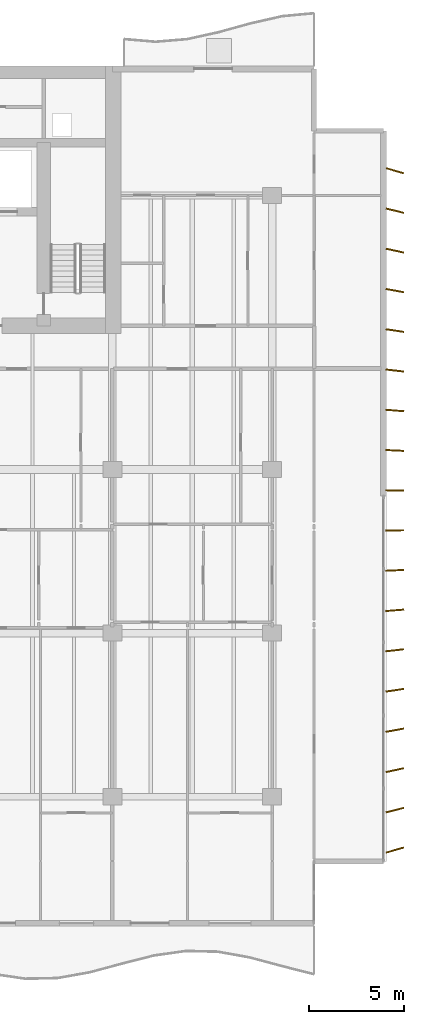
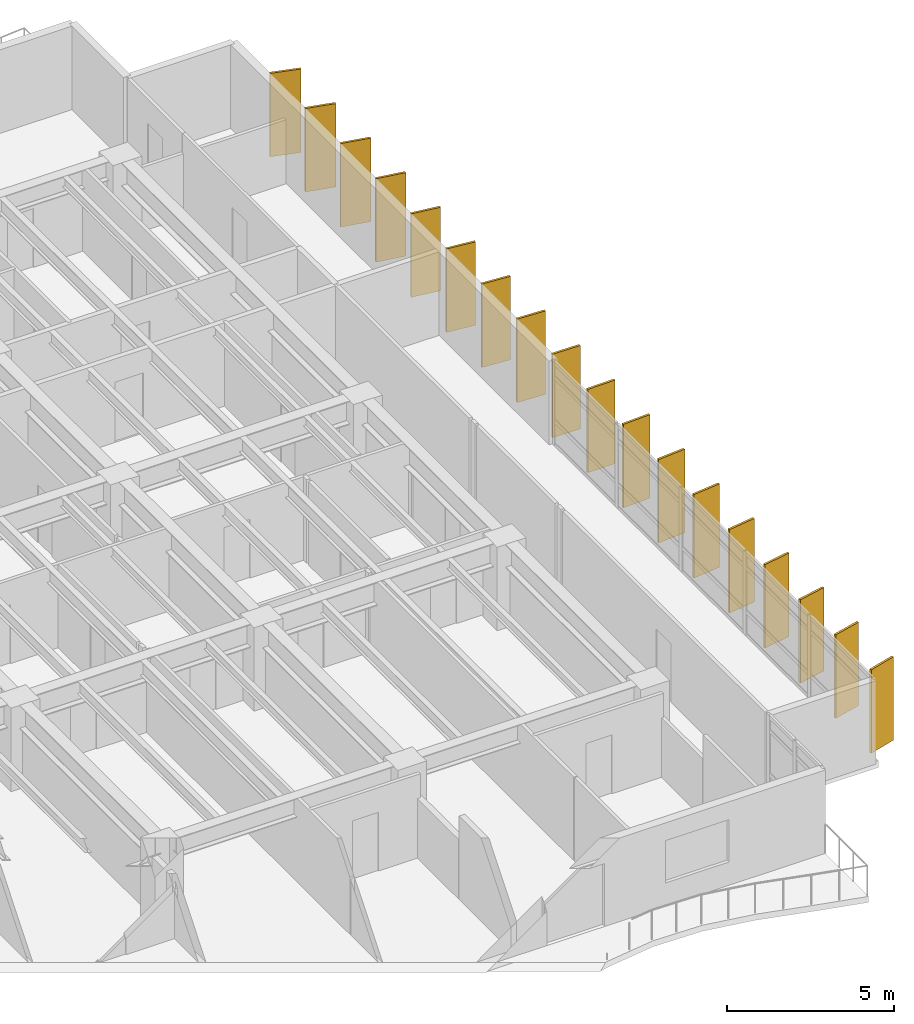
# One storey, part 18 of 18: 18 shading devices.
"""IFC4 building model written with IfcOpenShell, lengths in metres."""

from ifc_helpers import new_model, si_unit, direction, frame, origin, origin_2d, place, context, subcontext, project, spatial, rectangle, extrude, material, material_profile, profile_set, type_object, element, save


model = new_model("IFC4")

# Units and contexts
model_context = context("Model", 3, precision=1e-05, world=origin(), true_north=direction((0.0, 1.0)))
body_context = subcontext(model_context, "Body", "Model", "MODEL_VIEW")
ifc_project = project(units=[si_unit("LENGTHUNIT", "METRE"), si_unit("AREAUNIT", "SQUARE_METRE"), si_unit("VOLUMEUNIT", "CUBIC_METRE"), si_unit("PLANEANGLEUNIT", "RADIAN"), si_unit("MASSUNIT", "GRAM", prefix="KILO")], contexts=[model_context])

# Site, building, storey
site_placement = place(None, origin())
site = spatial("IfcSite", under=ifc_project, at=site_placement, CompositionType="ELEMENT")
building_placement = place(site_placement, origin())
building = spatial("IfcBuilding", under=site, at=building_placement, Name="Caelmar Bay Residences", CompositionType="ELEMENT")
storey_placement = place(building_placement, frame((0.0, 0.0, 122.39990234375)))
storey = spatial("IfcBuildingStorey", under=building, at=storey_placement, Name="L33", CompositionType="ELEMENT", Elevation=122.39990234375)

# Shading devices
ifc_material = material(Name="Anodised architectural bronze aluminium 6063-T6", Category="aluminium")
ifc_material_profile = material_profile(ifc_material, rectangle(XDim=0.074951171875, YDim=0.949951171875, at=origin_2d()), Name="BRONZE-FIN-75X950")
ifc_profile_set = profile_set([ifc_material_profile], Name="Anodised architectural bronze aluminium 6063-T6")
shading_device_type = type_object("IfcShadingDeviceType", Name="SHD-FIN-950", PredefinedType="USERDEFINED", material=ifc_profile_set)
for number, where, z_axis, x_axis, name in (
    (1, (74.35009765625, 9.39990234375, 0.0), (0.0, 0.0, 1.0), (-0.275637355817, 0.961261695938, 0.0), "L33 East Bronze Solar Fin 1"),
    (2, (74.35009765625, 11.5, 0.0), (0.0, 0.0, 1.0), (-0.243953546137, 0.969786918517, 0.0), "L33 East Bronze Solar Fin 2"),
    (3, (74.35009765625, 13.60009765625, 0.0), (0.0, 0.0, 1.0), (-0.212007109922, 0.977268123568, 0.0), "L33 East Bronze Solar Fin 3"),
    (4, (74.35009765625, 15.699951171875, 0.0), (0.0, 0.0, 1.0), (-0.179660748593, 0.98372862895, 0.0), "L33 East Bronze Solar Fin 4"),
    (5, (74.35009765625, 17.800048828125, 0.0), (0.0, 0.0, 1.0), (-0.147291543397, 0.989093120613, 0.0), "L33 East Bronze Solar Fin 5"),
    (6, (74.35009765625, 19.89990234375, 0.0), (0.0, 0.0, 1.0), (-0.114763772489, 0.993392810787, 0.0), "L33 East Bronze Solar Fin 6"),
    (7, (74.35009765625, 22.0, 0.0), (0.0, 0.0, 1.0), (-0.08211245342, 0.996623070671, 0.0), "L33 East Bronze Solar Fin 7"),
    (8, (74.35009765625, 24.10009765625, 0.0), (0.0, 0.0, 1.0), (-0.049198415926, 0.998789024705, 0.0), "L33 East Bronze Solar Fin 8"),
    (9, (74.35009765625, 26.199951171875, 0.0), (0.0, 0.0, 1.0), (-0.016405359001, 0.999865423043, 0.0), "L33 East Bronze Solar Fin 9"),
    (10, (74.35009765625, 28.300048828125, 0.0), (0.0, 0.0, 1.0), (0.016405359001, 0.999865423043, 0.0), "L33 East Bronze Solar Fin 10"),
    (11, (74.35009765625, 30.39990234375, 0.0), (0.0, 0.0, 1.0), (0.049198415926, 0.998789024705, 0.0), "L33 East Bronze Solar Fin 11"),
    (12, (74.35009765625, 32.5, 0.0), (0.0, 0.0, 1.0), (0.08211245342, 0.996623070671, 0.0), "L33 East Bronze Solar Fin 12"),
    (13, (74.35009765625, 34.60009765625, 0.0), (0.0, 0.0, 1.0), (0.114763772489, 0.993392810787, 0.0), "L33 East Bronze Solar Fin 13"),
    (14, (74.35009765625, 36.699951171875, 0.0), (0.0, 0.0, 1.0), (0.147291543397, 0.989093120613, 0.0), "L33 East Bronze Solar Fin 14"),
    (15, (74.35009765625, 38.800048828125, 0.0), (0.0, 0.0, 1.0), (0.179660748593, 0.98372862895, 0.0), "L33 East Bronze Solar Fin 15"),
    (16, (74.35009765625, 40.89990234375, 0.0), (0.0, 0.0, 1.0), (0.212007109922, 0.977268123568, 0.0), "L33 East Bronze Solar Fin 16"),
    (17, (74.35009765625, 43.0, 0.0), (0.0, 0.0, 1.0), (0.243953546137, 0.969786918517, 0.0), "L33 East Bronze Solar Fin 17"),
    (18, (74.35009765625, 45.10009765625, 0.0), (0.0, 0.0, 1.0), (0.275637355817, 0.961261695938, 0.0), "L33 East Bronze Solar Fin 18"),
):
    element("IfcShadingDevice", number, at=place(storey_placement, frame(where, z_axis=z_axis, x_axis=x_axis)), inside=storey, type_object=shading_device_type, Name=name, ObjectType="FIN", PredefinedType="USERDEFINED", context=body_context, shape_type="SweptSolid", body=[
        extrude(rectangle(XDim=0.074951171875, YDim=0.949951171875, at=origin_2d()), origin(), (0.0, 0.0, 1.0), 3.050048828125),
    ])

save(model, "model.ifc")
